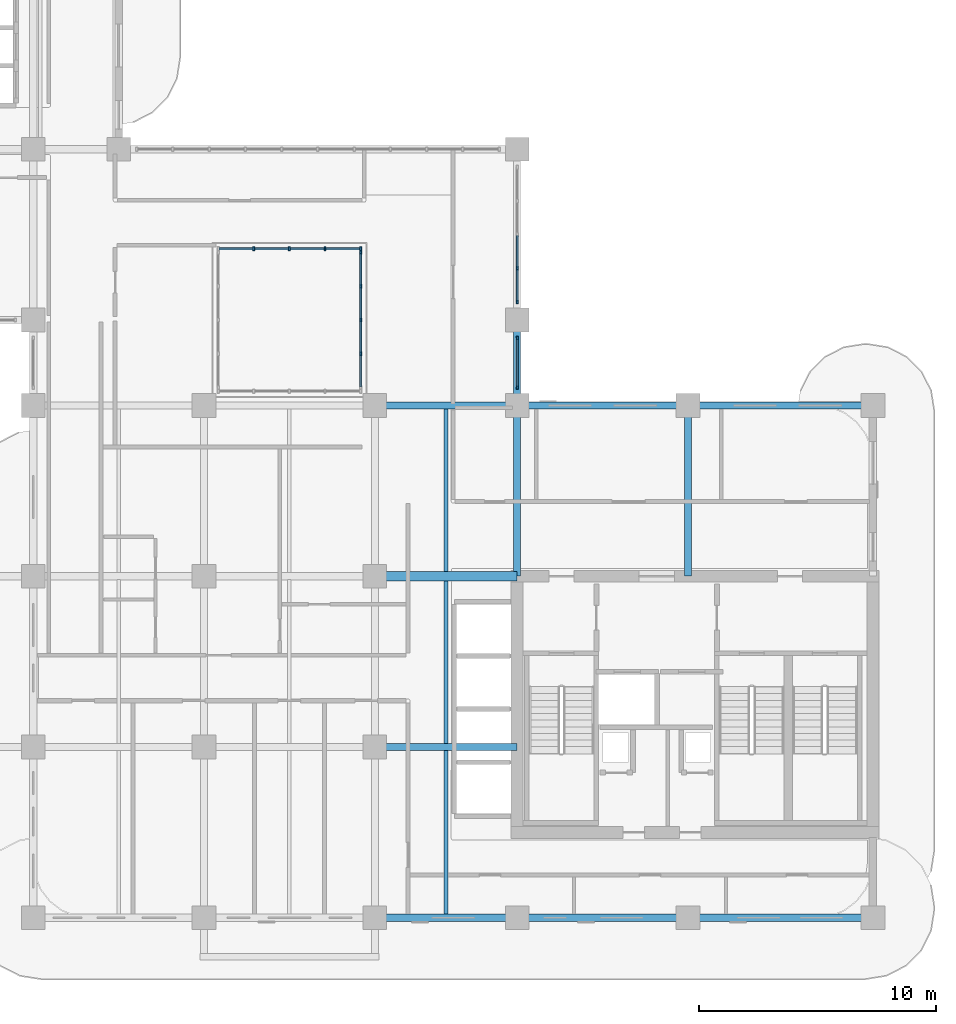
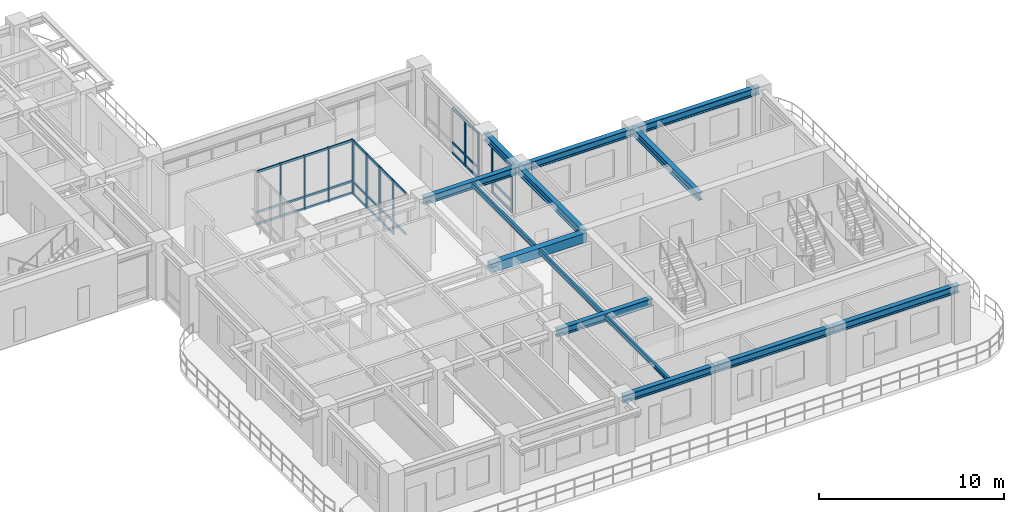
# One storey, part 3 of 20: 44 members, 14 beams, 4 elements without a shape of their own.
"""IFC4 building model written with IfcOpenShell, lengths in metres."""

import ifcopenshell
import ifcopenshell.guid

model = None  # the IFC model being written
_history = None  # IfcOwnerHistory: only IFC2X3 demands one
_inside = {}  # id of a spatial element -> (the spatial element, [elements in it])
_under = {}  # id of a project, library or spatial element -> (it, [spatial elements below it])
_declared = {}  # id of a project -> (the project, [libraries it declares])
_typed = {}  # id of a type object -> (the type object, [elements of that type])
_made_of = {}  # id of a material, layer set ... -> (it, [elements and type objects made of it])


def new_model(schema):
    """Start an empty IFC model of exactly this schema.

    Asked for "IFC4X3", IfcOpenShell would pick the latest addendum, in which some entities
    have other attributes; the version numbers below select the first issue.
    IFC2X3 requires an IfcOwnerHistory on every rooted entity: one is made here for all.
    """
    global model, _history
    if schema == "IFC4X3":
        model = ifcopenshell.file(schema_version=(4, 3, 0, 0))
    else:
        model = ifcopenshell.file(schema=schema)
    _inside.clear()
    _under.clear()
    _declared.clear()
    _typed.clear()
    _made_of.clear()
    _history = None
    if model.schema == "IFC2X3":
        org = make("IfcOrganization", Name="unknown")
        user = make(
            "IfcPersonAndOrganization",
            ThePerson=make("IfcPerson", FamilyName="unknown"),
            TheOrganization=org,
        )
        app = make(
            "IfcApplication",
            ApplicationDeveloper=org,
            Version="unknown",
            ApplicationFullName="unknown",
            ApplicationIdentifier="unknown",
        )
        _history = make(
            "IfcOwnerHistory",
            OwningUser=user,
            OwningApplication=app,
            ChangeAction="ADDED",
            CreationDate=0,
        )
    return model


def make(cls, **values):
    """One entity of the class cls with the attributes given. An attribute that is None is left unset."""
    return model.create_entity(
        cls, **{name: value for name, value in values.items() if value is not None}
    )


def rooted(cls, **values):
    """An entity with a GlobalId (a new one), such as an element, a storey or a relation."""
    return make(cls, GlobalId=ifcopenshell.guid.new(), OwnerHistory=_history, **values)


def si_unit(unit_type, name, prefix=None):
    """IfcSIUnit, for example si_unit("LENGTHUNIT", "METRE", prefix="MILLI")."""
    return make("IfcSIUnit", UnitType=unit_type, Prefix=prefix, Name=name)


def derived_unit(unit_type, elements):
    """IfcDerivedUnit: a product of units, each with its exponent."""
    return make(
        "IfcDerivedUnit",
        Elements=[
            make("IfcDerivedUnitElement", Unit=unit, Exponent=power)
            for unit, power in elements
        ],
        UnitType=unit_type,
    )


def assignment(units):
    """IfcUnitAssignment: the units of a project."""
    return None if units is None else make("IfcUnitAssignment", Units=units)


def point(xyz):
    """IfcCartesianPoint."""
    return None if xyz is None else make("IfcCartesianPoint", Coordinates=xyz)


def direction(xyz):
    """IfcDirection."""
    return None if xyz is None else make("IfcDirection", DirectionRatios=xyz)


def frame(location, z_axis=None, x_axis=None):
    """IfcAxis2Placement3D, a coordinate frame: its origin and axes. An axis left out is left unset."""
    return make(
        "IfcAxis2Placement3D",
        Location=point(location),
        Axis=direction(z_axis),
        RefDirection=direction(x_axis),
    )


def frame_2d(location, x_axis=None):
    """IfcAxis2Placement2D, a coordinate frame in the plane: its origin and x axis."""
    return make(
        "IfcAxis2Placement2D", Location=point(location), RefDirection=direction(x_axis)
    )


def origin():
    """The frame at (0, 0, 0) with its axes left unset."""
    return frame((0.0, 0.0, 0.0))


def origin_2d():
    """The frame at (0, 0) in the plane with its x axis left unset."""
    return frame_2d((0.0, 0.0))


def place(relative_to, where):
    """IfcLocalPlacement: puts the frame where relative to a parent placement (None: the world)."""
    return make(
        "IfcLocalPlacement", PlacementRelTo=relative_to, RelativePlacement=where
    )


def context(
    kind, dimensions, precision=None, world=None, true_north=None, identifier=None
):
    """IfcGeometricRepresentationContext, for example the 3D "Model" context."""
    return make(
        "IfcGeometricRepresentationContext",
        ContextIdentifier=identifier,
        ContextType=kind,
        CoordinateSpaceDimension=dimensions,
        Precision=precision,
        WorldCoordinateSystem=world,
        TrueNorth=true_north,
    )


def subcontext(parent, identifier, kind, view, scale=None):
    """IfcGeometricRepresentationSubContext, for example "Body" below "Model"."""
    return make(
        "IfcGeometricRepresentationSubContext",
        ContextIdentifier=identifier,
        ContextType=kind,
        ParentContext=parent,
        TargetScale=scale,
        TargetView=view,
    )


def project(units=None, contexts=None):
    """IfcProject with its units and contexts."""
    return rooted(
        "IfcProject",
        Name="project",
        RepresentationContexts=contexts,
        UnitsInContext=assignment(units),
    )


def spatial(cls, under=None, at=None, **own):
    """A site, building, storey or space (cls), placed at a placement, below another one or the project."""
    s = rooted(cls, ObjectPlacement=at, **own)
    if under is not None:
        _under.setdefault(under.id(), (under, []))[1].append(s)
    return s


def profile(cls, at=None, kind="AREA", **sizes):
    """A parametric profile (cls). Its sizes go by their IFC names, for example OverallWidth=200.0."""
    return make(cls, ProfileType=kind, Position=at, **sizes)


def rectangle(**sizes):
    """IfcRectangleProfileDef."""
    return profile("IfcRectangleProfileDef", **sizes)


def i_section(**sizes):
    """IfcIShapeProfileDef."""
    return profile("IfcIShapeProfileDef", **sizes)


def extrude(swept, where, along, depth):
    """IfcExtrudedAreaSolid: the profile swept, set in the frame where, extruded along a direction by depth."""
    return make(
        "IfcExtrudedAreaSolid",
        SweptArea=swept,
        Position=where,
        ExtrudedDirection=direction(along),
        Depth=depth,
    )


def shape(context_of_items, identifier, shape_type, items):
    """IfcShapeRepresentation: the items that make up one representation, for example the "Body"."""
    return make(
        "IfcShapeRepresentation",
        ContextOfItems=context_of_items,
        RepresentationIdentifier=identifier,
        RepresentationType=shape_type,
        Items=items,
    )


def source(mapping_origin, context_of_items, identifier, shape_type, items):
    """IfcRepresentationMap: a shape defined once, which mapped items show again and again."""
    return make(
        "IfcRepresentationMap",
        MappingOrigin=mapping_origin,
        MappedRepresentation=shape(context_of_items, identifier, shape_type, items),
    )


def transform(
    local_origin,
    x_axis=None,
    y_axis=None,
    z_axis=None,
    scale=None,
    scale2=None,
    scale3=None,
    uniform=True,
):
    """IfcCartesianTransformationOperator3D, or its non-uniform kind. x_axis, y_axis, z_axis: its Axis1, 2, 3."""
    if uniform:
        return make(
            "IfcCartesianTransformationOperator3D",
            Axis1=direction(x_axis),
            Axis2=direction(y_axis),
            LocalOrigin=point(local_origin),
            Scale=scale,
            Axis3=direction(z_axis),
        )
    return make(
        "IfcCartesianTransformationOperator3DnonUniform",
        Axis1=direction(x_axis),
        Axis2=direction(y_axis),
        LocalOrigin=point(local_origin),
        Scale=scale,
        Axis3=direction(z_axis),
        Scale2=scale2,
        Scale3=scale3,
    )


def mapped(mapping_source, mapping_target):
    """IfcMappedItem: shows the shape of a source again, moved by a transform."""
    return make(
        "IfcMappedItem", MappingSource=mapping_source, MappingTarget=mapping_target
    )


def material(Name=None, Category=None):
    """IfcMaterial."""
    return make("IfcMaterial", Name=Name, Category=Category)


def layer(
    of_material, thickness, ventilated=None, Name=None, Category=None, Priority=None
):
    """IfcMaterialLayer: one layer of a wall or slab, of a material (None: an air gap)."""
    return make(
        "IfcMaterialLayer",
        Material=of_material,
        LayerThickness=thickness,
        IsVentilated=ventilated,
        Name=Name,
        Category=Category,
        Priority=Priority,
    )


def layer_set(layers, Name=None):
    """IfcMaterialLayerSet."""
    return make("IfcMaterialLayerSet", MaterialLayers=layers, LayerSetName=Name)


def material_profile(
    of_material, cross_section, Name=None, Category=None, Priority=None
):
    """IfcMaterialProfile: a cross section and its material."""
    return make(
        "IfcMaterialProfile",
        Name=Name,
        Material=of_material,
        Profile=cross_section,
        Priority=Priority,
        Category=Category,
    )


def profile_set(profiles, Name=None, composite=None):
    """IfcMaterialProfileSet."""
    return make(
        "IfcMaterialProfileSet",
        Name=Name,
        MaterialProfiles=profiles,
        CompositeProfile=composite,
    )


def made_of(thing, what):
    """Note that an element or type object is made of a material, layer set ...; save() writes the relation."""
    if what is not None:
        _made_of.setdefault(what.id(), (what, []))[1].append(thing)
    return thing


def type_object(cls, material=None, **own):
    """A type object (cls), such as IfcWallType, which elements share."""
    return made_of(rooted(cls, **own), material)


def type_shapes(of_type, sources):
    """Give a type object the sources (RepresentationMaps) that its elements show as mapped items."""
    of_type.RepresentationMaps = sources


def element(
    cls,
    number,
    at=None,
    inside=None,
    cuts=None,
    type_object=None,
    material=None,
    context=None,
    identifier="Body",
    shape_type=None,
    held_by="IfcProductDefinitionShape",
    body=None,
    shapes=None,
    **own,
):
    """One element of the class cls, such as IfcWall. Its Tag is "e" and its number.

    at: its placement. inside: the storey or other place that contains it. cuts: it is an
    opening in that element (IfcRelVoidsElement). A single representation is given by context,
    identifier, shape_type and body (its items); several are given by shapes. held_by: the class
    of the entity that holds the representations. save() writes the other relations.
    """
    e = rooted(cls, Tag="e%d" % number, ObjectPlacement=at, **own)
    if body is not None:
        shapes = [shape(context, identifier, shape_type, body)]
    if shapes is not None:
        e.Representation = make(held_by, Representations=shapes)
    if inside is not None:
        _inside.setdefault(inside.id(), (inside, []))[1].append(e)
    if cuts is not None:
        rooted(
            "IfcRelVoidsElement", RelatingBuildingElement=cuts, RelatedOpeningElement=e
        )
    if type_object is not None:
        _typed.setdefault(type_object.id(), (type_object, []))[1].append(e)
    return made_of(e, material)


def aggregate(whole, parts):
    """IfcRelAggregates: a whole, such as a stair, and the parts it consists of."""
    return rooted("IfcRelAggregates", RelatingObject=whole, RelatedObjects=parts)


def save(model, path):
    """Write the relations noted so far, then the file.

    IfcRelAggregates (storeys below a building ...), IfcRelContainedInSpatialStructure (elements
    in a storey), IfcRelDefinesByType, IfcRelAssociatesMaterial and IfcRelDeclares: one each for
    every whole, place, type object, material and project.
    """
    for whole, parts in _under.values():
        aggregate(whole, parts)
    for where, things in _inside.values():
        rooted(
            "IfcRelContainedInSpatialStructure",
            RelatedElements=things,
            RelatingStructure=where,
        )
    for kind, things in _typed.values():
        rooted("IfcRelDefinesByType", RelatedObjects=things, RelatingType=kind)
    for what, things in _made_of.values():
        rooted("IfcRelAssociatesMaterial", RelatedObjects=things, RelatingMaterial=what)
    for by, libraries in _declared.values():
        rooted("IfcRelDeclares", RelatingContext=by, RelatedDefinitions=libraries)
    model.write(path)


model = new_model("IFC4")

# Units and contexts
model_context = context("Model", 3, precision=1e-05, world=origin(), true_north=direction((0.0, 1.0)))
body_context = subcontext(model_context, "Body", "Model", "MODEL_VIEW")
ifc_project = project(units=[si_unit("LENGTHUNIT", "METRE"), si_unit("AREAUNIT", "SQUARE_METRE"), si_unit("VOLUMEUNIT", "CUBIC_METRE"), si_unit("PLANEANGLEUNIT", "RADIAN"), si_unit("MASSUNIT", "GRAM", prefix="KILO"), si_unit("THERMODYNAMICTEMPERATUREUNIT", "KELVIN"), si_unit("POWERUNIT", "WATT"), derived_unit("THERMALTRANSMITTANCEUNIT", [(si_unit("POWERUNIT", "WATT"), 1), (si_unit("AREAUNIT", "SQUARE_METRE"), -1), (si_unit("THERMODYNAMICTEMPERATUREUNIT", "KELVIN"), -1)])], contexts=[model_context])

# Site, building, storey
site_placement = place(None, origin())
site = spatial("IfcSite", under=ifc_project, at=site_placement, CompositionType="ELEMENT")
building_placement = place(site_placement, origin())
building = spatial("IfcBuilding", under=site, at=building_placement, Name="Zahravan Archway Hotel and Residences", CompositionType="ELEMENT")
storey_placement = place(building_placement, frame((0.0, 0.0, 161.85009765625)))
storey = spatial("IfcBuildingStorey", under=building, at=storey_placement, Name="L40", CompositionType="ELEMENT", Elevation=161.85009765625)

# Beams
ifc_material_1 = material(Name="Concrete C60/75", Category="concrete")
ifc_material_profile_1 = material_profile(ifc_material_1, rectangle(XDim=0.39990234375, YDim=0.60009765625, at=origin_2d()), Name="RC-LNT-400x600", Category="concrete")
ifc_profile_set_1 = profile_set([ifc_material_profile_1], Name="Concrete C60/75")
beam_type_1 = type_object("IfcBeamType", Name="LNT-RC-400x600", PredefinedType="LINTEL", material=ifc_profile_set_1)
shared_shape_1 = source(origin(), body_context, "Body", "SweptSolid", [
    extrude(rectangle(XDim=0.39990234375, YDim=0.60009765625, at=origin_2d()), origin(), (0.0, 0.0, 1.0), 6.0),
])
type_shapes(beam_type_1, [shared_shape_1])
beam_1_placement = place(storey_placement, frame((28.800048828125, 14.39990234375, 3.2998046875), z_axis=(1.0, 0.0, 0.0), x_axis=(0.0, 1.0, 0.0)))
element("IfcBeam", 1, at=beam_1_placement, inside=storey, type_object=beam_type_1, Name="L40 Core A Coupling Lintel Beam", PredefinedType="LINTEL", context=body_context, shape_type="MappedRepresentation", body=[
    mapped(shared_shape_1, transform((0.0, 0.0, 0.0), scale=1.0)),
])
ifc_material_2 = material(Name="Structural Steel S355JR", Category="steel")
ifc_material_profile_2 = material_profile(ifc_material_2, i_section(OverallWidth=0.300048828125, OverallDepth=0.5, WebThickness=0.014404296875, FlangeThickness=0.028076171875, FilletRadius=0.027099609375, at=origin_2d()), Name="HEB 500", Category="steel")
ifc_profile_set_2 = profile_set([ifc_material_profile_2], Name="Structural Steel S355JR")
beam_type_2 = type_object("IfcBeamType", Name="BM-PRI-HEB500", PredefinedType="BEAM", material=ifc_profile_set_2)
shared_shape_2 = source(origin(), body_context, "Body", "SweptSolid", [
    extrude(i_section(OverallWidth=0.300048828125, OverallDepth=0.5, WebThickness=0.014404296875, FlangeThickness=0.028076171875, FilletRadius=0.027099609375, at=origin_2d()), origin(), (0.0, 0.0, 1.0), 7.2001953125),
])
type_shapes(beam_type_2, [shared_shape_2])
for number, where, z_axis, x_axis, name in (
    (2, (34.800048828125, 14.39990234375, 3.349853515625), (0.0, 1.0, 0.0), (-1.0, 0.0, 0.0), "L40 Primary Girder NS-41"),
    (3, (42.0, 14.39990234375, 3.349853515625), (0.0, 1.0, 0.0), (-1.0, 0.0, 0.0), "L40 Primary Girder NS-44"),
):
    element("IfcBeam", number, at=place(storey_placement, frame(where, z_axis=z_axis, x_axis=x_axis)), inside=storey, type_object=beam_type_2, Name=name, PredefinedType="BEAM", context=body_context, shape_type="MappedRepresentation", body=[
        mapped(shared_shape_2, transform((0.0, 0.0, 0.0), scale=1.0)),
    ])
shared_shape_3 = source(origin(), body_context, "Body", "SweptSolid", [
    extrude(i_section(OverallWidth=0.300048828125, OverallDepth=0.5, WebThickness=0.014404296875, FlangeThickness=0.028076171875, FilletRadius=0.027099609375, at=origin_2d()), origin(), (0.0, 0.0, 1.0), 7.199951171875),
])
for number, where, z_axis, x_axis, name in (
    (4, (34.800048828125, 0.0, 3.349853515625), (1.0, 0.0, 0.0), (0.0, 1.0, 0.0), "L40 Primary Girder EW-04"),
    (5, (34.800048828125, 21.60009765625, 3.349853515625), (1.0, 0.0, 0.0), (0.0, 1.0, 0.0), "L40 Primary Girder EW-14"),
):
    element("IfcBeam", number, at=place(storey_placement, frame(where, z_axis=z_axis, x_axis=x_axis)), inside=storey, type_object=beam_type_2, Name=name, PredefinedType="BEAM", context=body_context, shape_type="MappedRepresentation", body=[
        mapped(shared_shape_3, transform((0.0, 0.0, 0.0), scale=1.0)),
    ])
shared_shape_4 = source(origin(), body_context, "Body", "SweptSolid", [
    extrude(i_section(OverallWidth=0.300048828125, OverallDepth=0.5, WebThickness=0.014404296875, FlangeThickness=0.028076171875, FilletRadius=0.027099609375, at=origin_2d()), origin(), (0.0, 0.0, 1.0), 6.0),
])
for number, where, z_axis, x_axis, name in (
    (6, (28.800048828125, 0.0, 3.349853515625), (1.0, 0.0, 0.0), (0.0, 1.0, 0.0), "L40 Primary Girder EW-03"),
    (7, (28.800048828125, 7.199951171875, 3.349853515625), (1.0, 0.0, 0.0), (0.0, 1.0, 0.0), "L40 Primary Girder EW-08"),
    (8, (28.800048828125, 21.60009765625, 3.349853515625), (1.0, 0.0, 0.0), (0.0, 1.0, 0.0), "L40 Primary Girder EW-13"),
):
    element("IfcBeam", number, at=place(storey_placement, frame(where, z_axis=z_axis, x_axis=x_axis)), inside=storey, type_object=beam_type_2, Name=name, PredefinedType="BEAM", context=body_context, shape_type="MappedRepresentation", body=[
        mapped(shared_shape_4, transform((0.0, 0.0, 0.0), scale=1.0)),
    ])
shared_shape_5 = source(origin(), body_context, "Body", "SweptSolid", [
    extrude(i_section(OverallWidth=0.300048828125, OverallDepth=0.5, WebThickness=0.014404296875, FlangeThickness=0.028076171875, FilletRadius=0.027099609375, at=origin_2d()), origin(), (0.0, 0.0, 1.0), 7.800048828125),
])
for number, where, z_axis, x_axis, name in (
    (9, (42.0, 0.0, 3.349853515625), (1.0, 0.0, 0.0), (0.0, 1.0, 0.0), "L40 Primary Girder EW-05"),
    (10, (42.0, 21.60009765625, 3.349853515625), (1.0, 0.0, 0.0), (0.0, 1.0, 0.0), "L40 Primary Girder EW-15"),
):
    element("IfcBeam", number, at=place(storey_placement, frame(where, z_axis=z_axis, x_axis=x_axis)), inside=storey, type_object=beam_type_2, Name=name, PredefinedType="BEAM", context=body_context, shape_type="MappedRepresentation", body=[
        mapped(shared_shape_5, transform((0.0, 0.0, 0.0), scale=1.0)),
    ])
shared_shape_6 = source(origin(), body_context, "Body", "SweptSolid", [
    extrude(i_section(OverallWidth=0.300048828125, OverallDepth=0.5, WebThickness=0.014404296875, FlangeThickness=0.028076171875, FilletRadius=0.027099609375, at=origin_2d()), origin(), (0.0, 0.0, 1.0), 3.599853515625),
])
beam_2_placement = place(storey_placement, frame((34.800048828125, 21.60009765625, 3.349853515625), z_axis=(0.0, 1.0, 0.0), x_axis=(-1.0, 0.0, 0.0)))
element("IfcBeam", 11, at=beam_2_placement, inside=storey, type_object=beam_type_2, Name="L40 Primary Girder NS-42", PredefinedType="BEAM", context=body_context, shape_type="MappedRepresentation", body=[
    mapped(shared_shape_6, transform((0.0, 0.0, 0.0), scale=1.0)),
])
ifc_material_profile_3 = material_profile(ifc_material_2, i_section(OverallWidth=0.14990234375, OverallDepth=0.300048828125, WebThickness=0.007080078125, FlangeThickness=0.0107421875, FilletRadius=0.014892578125, at=origin_2d()), Name="IPE 300", Category="steel")
ifc_profile_set_3 = profile_set([ifc_material_profile_3], Name="Structural Steel S355JR")
beam_type_3 = type_object("IfcBeamType", Name="BM-JST-IPE300", PredefinedType="JOIST", material=ifc_profile_set_3)
shared_shape_7 = source(origin(), body_context, "Body", "SweptSolid", [
    extrude(i_section(OverallWidth=0.14990234375, OverallDepth=0.300048828125, WebThickness=0.007080078125, FlangeThickness=0.0107421875, FilletRadius=0.014892578125, at=origin_2d()), origin(), (0.0, 0.0, 1.0), 6.904052734375),
])
type_shapes(beam_type_3, [shared_shape_7])
beam_3_placement = place(storey_placement, frame((31.800048828125, 0.14794921875, 3.449951171875), z_axis=(0.0, 1.0, 0.0), x_axis=(-1.0, 0.0, 0.0)))
element("IfcBeam", 12, at=beam_3_placement, inside=storey, type_object=beam_type_3, Name="L40 Composite Floor Joist 03", PredefinedType="JOIST", context=body_context, shape_type="MappedRepresentation", body=[
    mapped(shared_shape_7, transform((0.0, 0.0, 0.0), scale=1.0)),
])
shared_shape_8 = source(origin(), body_context, "Body", "SweptSolid", [
    extrude(i_section(OverallWidth=0.14990234375, OverallDepth=0.300048828125, WebThickness=0.007080078125, FlangeThickness=0.0107421875, FilletRadius=0.014892578125, at=origin_2d()), origin(), (0.0, 0.0, 1.0), 6.85400390625),
])
for number, where, z_axis, x_axis, name in (
    (13, (31.800048828125, 7.347900390625, 3.449951171875), (0.0, 1.0, 0.0), (-1.0, 0.0, 0.0), "L40 Composite Floor Joist 06"),
    (14, (31.800048828125, 14.597900390625, 3.449951171875), (0.0, 1.0, 0.0), (-1.0, 0.0, 0.0), "L40 Composite Floor Joist 07"),
):
    element("IfcBeam", number, at=place(storey_placement, frame(where, z_axis=z_axis, x_axis=x_axis)), inside=storey, type_object=beam_type_3, Name=name, PredefinedType="JOIST", context=body_context, shape_type="MappedRepresentation", body=[
        mapped(shared_shape_8, transform((0.0, 0.0, 0.0), scale=1.0)),
    ])

# Curtain wall, members
ifc_material_3 = material(Name="Bronze-Anodized Unitised Aluminium & Low-E Glass", Category="aluminium")
ifc_layer_1 = layer(ifc_material_3, 0.179931640625, Name="Bronze-Anodized Unitised Aluminium & Low-E Glass", Category="aluminium")
ifc_layer_set_1 = layer_set([ifc_layer_1], Name="Bronze-Anodized Unitised Aluminium & Low-E Glass")
curtain_wall_type_1 = type_object("IfcCurtainWallType", Name="CW-TWR-FEAT", PredefinedType="NOTDEFINED", material=ifc_layer_set_1)
curtain_wall_1_placement = place(storey_placement, origin())
curtain_wall_1 = element("IfcCurtainWall", 15, at=curtain_wall_1_placement, inside=storey, type_object=curtain_wall_type_1, Name="L40 Curtain Wall CW-L40-HNG-E-2", PredefinedType="NOTDEFINED")
ifc_material_4 = material(Name="Bronze-Anodized Extruded Aluminium", Category="aluminium")
ifc_material_profile_4 = material_profile(ifc_material_4, rectangle(XDim=0.080078125, YDim=0.139892578125, at=origin_2d()), Name="TRN 80x140", Category="aluminium")
ifc_profile_set_4 = profile_set([ifc_material_profile_4], Name="Bronze-Anodized Extruded Aluminium")
member_type_1 = type_object("IfcMemberType", Name="CWM-TRN-140", PredefinedType="USERDEFINED", material=ifc_profile_set_4)
shared_shape_9 = source(origin(), body_context, "Body", "SweptSolid", [
    extrude(rectangle(XDim=0.080078125, YDim=0.139892578125, at=origin_2d()), origin(), (0.0, 0.0, 1.0), 1.340087890625),
])
member_1_placement = place(storey_placement, frame((34.800048828125, 26.0, 0.06982421875), z_axis=(0.0, 1.0, 0.0), x_axis=(-1.0, 0.0, 0.0)))
member_1 = element("IfcMember", 16, at=member_1_placement, type_object=member_type_1, Name="CW-L40-HNG-E-2 Transom 0-1", ObjectType="TRANSOM", PredefinedType="USERDEFINED", context=body_context, shape_type="MappedRepresentation", body=[
    mapped(shared_shape_9, transform((0.0, 0.0, 0.0), scale=1.0)),
])
member_2_placement = place(storey_placement, frame((34.800048828125, 26.0, 0.740234375), z_axis=(0.0, 1.0, 0.0), x_axis=(-1.0, 0.0, 0.0)))
member_2 = element("IfcMember", 17, at=member_2_placement, type_object=member_type_1, Name="CW-L40-HNG-E-2 Transom 0-2", ObjectType="TRANSOM", PredefinedType="USERDEFINED", context=body_context, shape_type="MappedRepresentation", body=[
    mapped(shared_shape_9, transform((0.0, 0.0, 0.0), scale=1.0)),
])
member_3_placement = place(storey_placement, frame((34.800048828125, 26.0, 3.014892578125), z_axis=(0.0, 1.0, 0.0), x_axis=(-1.0, 0.0, 0.0)))
member_3 = element("IfcMember", 18, at=member_3_placement, type_object=member_type_1, Name="CW-L40-HNG-E-2 Transom 0-3", ObjectType="TRANSOM", PredefinedType="USERDEFINED", context=body_context, shape_type="MappedRepresentation", body=[
    mapped(shared_shape_9, transform((0.0, 0.0, 0.0), scale=1.0)),
])
member_4_placement = place(storey_placement, frame((34.800048828125, 27.419921875, 0.06982421875), z_axis=(0.0, 1.0, 0.0), x_axis=(-1.0, 0.0, 0.0)))
member_4 = element("IfcMember", 19, at=member_4_placement, type_object=member_type_1, Name="CW-L40-HNG-E-2 Transom 1-1", ObjectType="TRANSOM", PredefinedType="USERDEFINED", context=body_context, shape_type="MappedRepresentation", body=[
    mapped(shared_shape_9, transform((0.0, 0.0, 0.0), scale=1.0)),
])
member_5_placement = place(storey_placement, frame((34.800048828125, 27.419921875, 0.740234375), z_axis=(0.0, 1.0, 0.0), x_axis=(-1.0, 0.0, 0.0)))
member_5 = element("IfcMember", 20, at=member_5_placement, type_object=member_type_1, Name="CW-L40-HNG-E-2 Transom 1-2", ObjectType="TRANSOM", PredefinedType="USERDEFINED", context=body_context, shape_type="MappedRepresentation", body=[
    mapped(shared_shape_9, transform((0.0, 0.0, 0.0), scale=1.0)),
])
member_6_placement = place(storey_placement, frame((34.800048828125, 27.419921875, 3.014892578125), z_axis=(0.0, 1.0, 0.0), x_axis=(-1.0, 0.0, 0.0)))
member_6 = element("IfcMember", 21, at=member_6_placement, type_object=member_type_1, Name="CW-L40-HNG-E-2 Transom 1-3", ObjectType="TRANSOM", PredefinedType="USERDEFINED", context=body_context, shape_type="MappedRepresentation", body=[
    mapped(shared_shape_9, transform((0.0, 0.0, 0.0), scale=1.0)),
])

curtain_wall_2_placement = place(storey_placement, origin())
curtain_wall_2 = element("IfcCurtainWall", 22, at=curtain_wall_2_placement, inside=storey, type_object=curtain_wall_type_1, Name="L40 Curtain Wall CW-L40-HNG-E-1", PredefinedType="NOTDEFINED")
shared_shape_10 = source(origin(), body_context, "Body", "SweptSolid", [
    extrude(rectangle(XDim=0.080078125, YDim=0.139892578125, at=origin_2d()), origin(), (0.0, 0.0, 1.0), 2.0),
])
member_7_placement = place(storey_placement, frame((34.800048828125, 22.39990234375, 0.06982421875), z_axis=(0.0, 1.0, 0.0), x_axis=(-1.0, 0.0, 0.0)))
member_7 = element("IfcMember", 23, at=member_7_placement, type_object=member_type_1, Name="CW-L40-HNG-E-1 Transom 0-1", ObjectType="TRANSOM", PredefinedType="USERDEFINED", context=body_context, shape_type="MappedRepresentation", body=[
    mapped(shared_shape_10, transform((0.0, 0.0, 0.0), scale=1.0)),
])
member_8_placement = place(storey_placement, frame((34.800048828125, 22.39990234375, 0.740234375), z_axis=(0.0, 1.0, 0.0), x_axis=(-1.0, 0.0, 0.0)))
member_8 = element("IfcMember", 24, at=member_8_placement, type_object=member_type_1, Name="CW-L40-HNG-E-1 Transom 0-2", ObjectType="TRANSOM", PredefinedType="USERDEFINED", context=body_context, shape_type="MappedRepresentation", body=[
    mapped(shared_shape_10, transform((0.0, 0.0, 0.0), scale=1.0)),
])
member_9_placement = place(storey_placement, frame((34.800048828125, 22.39990234375, 3.014892578125), z_axis=(0.0, 1.0, 0.0), x_axis=(-1.0, 0.0, 0.0)))
member_9 = element("IfcMember", 25, at=member_9_placement, type_object=member_type_1, Name="CW-L40-HNG-E-1 Transom 0-3", ObjectType="TRANSOM", PredefinedType="USERDEFINED", context=body_context, shape_type="MappedRepresentation", body=[
    mapped(shared_shape_10, transform((0.0, 0.0, 0.0), scale=1.0)),
])

ifc_layer_2 = layer(ifc_material_3, 0.179931640625, Name="Bronze-Anodized Unitised Aluminium & Low-E Glass", Category="aluminium")
ifc_layer_set_2 = layer_set([ifc_layer_2], Name="Bronze-Anodized Unitised Aluminium & Low-E Glass")
curtain_wall_type_2 = type_object("IfcCurtainWallType", Name="CW-ATR-GLAZ", PredefinedType="NOTDEFINED", material=ifc_layer_set_2)
curtain_wall_3_placement = place(storey_placement, origin())
curtain_wall_3 = element("IfcCurtainWall", 26, at=curtain_wall_3_placement, inside=storey, type_object=curtain_wall_type_2, Name="L40 Curtain Wall CW-ATR-L40-N-1", PredefinedType="NOTDEFINED")
shared_shape_11 = source(origin(), body_context, "Body", "SweptSolid", [
    extrude(rectangle(XDim=0.080078125, YDim=0.139892578125, at=origin_2d()), origin(), (0.0, 0.0, 1.0), 1.419921875),
])
member_10_placement = place(storey_placement, frame((22.239990234375, 28.199951171875, 0.06982421875), z_axis=(1.0, 0.0, 0.0), x_axis=(0.0, 1.0, 0.0)))
member_10 = element("IfcMember", 27, at=member_10_placement, type_object=member_type_1, Name="CW-ATR-L40-N-1 Transom 0-1", ObjectType="TRANSOM", PredefinedType="USERDEFINED", context=body_context, shape_type="MappedRepresentation", body=[
    mapped(shared_shape_11, transform((0.0, 0.0, 0.0), scale=1.0)),
])
member_11_placement = place(storey_placement, frame((22.239990234375, 28.199951171875, 0.849853515625), z_axis=(1.0, 0.0, 0.0), x_axis=(0.0, 1.0, 0.0)))
member_11 = element("IfcMember", 28, at=member_11_placement, type_object=member_type_1, Name="CW-ATR-L40-N-1 Transom 0-2", ObjectType="TRANSOM", PredefinedType="USERDEFINED", context=body_context, shape_type="MappedRepresentation", body=[
    mapped(shared_shape_11, transform((0.0, 0.0, 0.0), scale=1.0)),
])
member_12_placement = place(storey_placement, frame((22.239990234375, 28.199951171875, 3.52978515625), z_axis=(1.0, 0.0, 0.0), x_axis=(0.0, 1.0, 0.0)))
member_12 = element("IfcMember", 29, at=member_12_placement, type_object=member_type_1, Name="CW-ATR-L40-N-1 Transom 0-3", ObjectType="TRANSOM", PredefinedType="USERDEFINED", context=body_context, shape_type="MappedRepresentation", body=[
    mapped(shared_shape_11, transform((0.0, 0.0, 0.0), scale=1.0)),
])
member_13_placement = place(storey_placement, frame((23.739990234375, 28.199951171875, 0.06982421875), z_axis=(1.0, 0.0, 0.0), x_axis=(0.0, 1.0, 0.0)))
member_13 = element("IfcMember", 30, at=member_13_placement, type_object=member_type_1, Name="CW-ATR-L40-N-1 Transom 1-1", ObjectType="TRANSOM", PredefinedType="USERDEFINED", context=body_context, shape_type="MappedRepresentation", body=[
    mapped(shared_shape_11, transform((0.0, 0.0, 0.0), scale=1.0)),
])
member_14_placement = place(storey_placement, frame((23.739990234375, 28.199951171875, 0.849853515625), z_axis=(1.0, 0.0, 0.0), x_axis=(0.0, 1.0, 0.0)))
member_14 = element("IfcMember", 31, at=member_14_placement, type_object=member_type_1, Name="CW-ATR-L40-N-1 Transom 1-2", ObjectType="TRANSOM", PredefinedType="USERDEFINED", context=body_context, shape_type="MappedRepresentation", body=[
    mapped(shared_shape_11, transform((0.0, 0.0, 0.0), scale=1.0)),
])
member_15_placement = place(storey_placement, frame((23.739990234375, 28.199951171875, 3.52978515625), z_axis=(1.0, 0.0, 0.0), x_axis=(0.0, 1.0, 0.0)))
member_15 = element("IfcMember", 32, at=member_15_placement, type_object=member_type_1, Name="CW-ATR-L40-N-1 Transom 1-3", ObjectType="TRANSOM", PredefinedType="USERDEFINED", context=body_context, shape_type="MappedRepresentation", body=[
    mapped(shared_shape_11, transform((0.0, 0.0, 0.0), scale=1.0)),
])
member_16_placement = place(storey_placement, frame((25.239990234375, 28.199951171875, 0.06982421875), z_axis=(1.0, 0.0, 0.0), x_axis=(0.0, 1.0, 0.0)))
member_16 = element("IfcMember", 33, at=member_16_placement, type_object=member_type_1, Name="CW-ATR-L40-N-1 Transom 2-1", ObjectType="TRANSOM", PredefinedType="USERDEFINED", context=body_context, shape_type="MappedRepresentation", body=[
    mapped(shared_shape_11, transform((0.0, 0.0, 0.0), scale=1.0)),
])
member_17_placement = place(storey_placement, frame((25.239990234375, 28.199951171875, 0.849853515625), z_axis=(1.0, 0.0, 0.0), x_axis=(0.0, 1.0, 0.0)))
member_17 = element("IfcMember", 34, at=member_17_placement, type_object=member_type_1, Name="CW-ATR-L40-N-1 Transom 2-2", ObjectType="TRANSOM", PredefinedType="USERDEFINED", context=body_context, shape_type="MappedRepresentation", body=[
    mapped(shared_shape_11, transform((0.0, 0.0, 0.0), scale=1.0)),
])
member_18_placement = place(storey_placement, frame((25.239990234375, 28.199951171875, 3.52978515625), z_axis=(1.0, 0.0, 0.0), x_axis=(0.0, 1.0, 0.0)))
member_18 = element("IfcMember", 35, at=member_18_placement, type_object=member_type_1, Name="CW-ATR-L40-N-1 Transom 2-3", ObjectType="TRANSOM", PredefinedType="USERDEFINED", context=body_context, shape_type="MappedRepresentation", body=[
    mapped(shared_shape_11, transform((0.0, 0.0, 0.0), scale=1.0)),
])
member_19_placement = place(storey_placement, frame((26.739990234375, 28.199951171875, 0.06982421875), z_axis=(1.0, 0.0, 0.0), x_axis=(0.0, 1.0, 0.0)))
member_19 = element("IfcMember", 36, at=member_19_placement, type_object=member_type_1, Name="CW-ATR-L40-N-1 Transom 3-1", ObjectType="TRANSOM", PredefinedType="USERDEFINED", context=body_context, shape_type="MappedRepresentation", body=[
    mapped(shared_shape_11, transform((0.0, 0.0, 0.0), scale=1.0)),
])
member_20_placement = place(storey_placement, frame((26.739990234375, 28.199951171875, 0.849853515625), z_axis=(1.0, 0.0, 0.0), x_axis=(0.0, 1.0, 0.0)))
member_20 = element("IfcMember", 37, at=member_20_placement, type_object=member_type_1, Name="CW-ATR-L40-N-1 Transom 3-2", ObjectType="TRANSOM", PredefinedType="USERDEFINED", context=body_context, shape_type="MappedRepresentation", body=[
    mapped(shared_shape_11, transform((0.0, 0.0, 0.0), scale=1.0)),
])
member_21_placement = place(storey_placement, frame((26.739990234375, 28.199951171875, 3.52978515625), z_axis=(1.0, 0.0, 0.0), x_axis=(0.0, 1.0, 0.0)))
member_21 = element("IfcMember", 38, at=member_21_placement, type_object=member_type_1, Name="CW-ATR-L40-N-1 Transom 3-3", ObjectType="TRANSOM", PredefinedType="USERDEFINED", context=body_context, shape_type="MappedRepresentation", body=[
    mapped(shared_shape_11, transform((0.0, 0.0, 0.0), scale=1.0)),
])

curtain_wall_4_placement = place(storey_placement, origin())
curtain_wall_4 = element("IfcCurtainWall", 39, at=curtain_wall_4_placement, inside=storey, type_object=curtain_wall_type_2, Name="L40 Curtain Wall CW-ATR-L40-E-1", PredefinedType="NOTDEFINED")
shared_shape_12 = source(origin(), body_context, "Body", "SweptSolid", [
    extrude(rectangle(XDim=0.080078125, YDim=0.139892578125, at=origin_2d()), origin(), (0.0, 0.0, 1.0), 1.34521484375),
])
member_22_placement = place(storey_placement, frame((28.199951171875, 22.389892578125, 0.849853515625), z_axis=(0.0, 1.0, 0.0), x_axis=(-1.0, 0.0, 0.0)))
member_22 = element("IfcMember", 40, at=member_22_placement, type_object=member_type_1, Name="CW-ATR-L40-E-1 Transom 0-2", ObjectType="TRANSOM", PredefinedType="USERDEFINED", context=body_context, shape_type="MappedRepresentation", body=[
    mapped(shared_shape_12, transform((0.0, 0.0, 0.0), scale=1.0)),
])
member_23_placement = place(storey_placement, frame((28.199951171875, 22.389892578125, 3.52978515625), z_axis=(0.0, 1.0, 0.0), x_axis=(-1.0, 0.0, 0.0)))
member_23 = element("IfcMember", 41, at=member_23_placement, type_object=member_type_1, Name="CW-ATR-L40-E-1 Transom 0-3", ObjectType="TRANSOM", PredefinedType="USERDEFINED", context=body_context, shape_type="MappedRepresentation", body=[
    mapped(shared_shape_12, transform((0.0, 0.0, 0.0), scale=1.0)),
])
shared_shape_13 = source(origin(), body_context, "Body", "SweptSolid", [
    extrude(rectangle(XDim=0.080078125, YDim=0.139892578125, at=origin_2d()), origin(), (0.0, 0.0, 1.0), 1.344970703125),
])
member_24_placement = place(storey_placement, frame((28.199951171875, 23.81494140625, 0.06982421875), z_axis=(0.0, 1.0, 0.0), x_axis=(-1.0, 0.0, 0.0)))
member_24 = element("IfcMember", 42, at=member_24_placement, type_object=member_type_1, Name="CW-ATR-L40-E-1 Transom 1-1", ObjectType="TRANSOM", PredefinedType="USERDEFINED", context=body_context, shape_type="MappedRepresentation", body=[
    mapped(shared_shape_13, transform((0.0, 0.0, 0.0), scale=1.0)),
])
member_25_placement = place(storey_placement, frame((28.199951171875, 23.81494140625, 0.849853515625), z_axis=(0.0, 1.0, 0.0), x_axis=(-1.0, 0.0, 0.0)))
member_25 = element("IfcMember", 43, at=member_25_placement, type_object=member_type_1, Name="CW-ATR-L40-E-1 Transom 1-2", ObjectType="TRANSOM", PredefinedType="USERDEFINED", context=body_context, shape_type="MappedRepresentation", body=[
    mapped(shared_shape_13, transform((0.0, 0.0, 0.0), scale=1.0)),
])
member_26_placement = place(storey_placement, frame((28.199951171875, 23.81494140625, 3.52978515625), z_axis=(0.0, 1.0, 0.0), x_axis=(-1.0, 0.0, 0.0)))
member_26 = element("IfcMember", 44, at=member_26_placement, type_object=member_type_1, Name="CW-ATR-L40-E-1 Transom 1-3", ObjectType="TRANSOM", PredefinedType="USERDEFINED", context=body_context, shape_type="MappedRepresentation", body=[
    mapped(shared_shape_13, transform((0.0, 0.0, 0.0), scale=1.0)),
])
member_27_placement = place(storey_placement, frame((28.199951171875, 25.239990234375, 0.06982421875), z_axis=(0.0, 1.0, 0.0), x_axis=(-1.0, 0.0, 0.0)))
member_27 = element("IfcMember", 45, at=member_27_placement, type_object=member_type_1, Name="CW-ATR-L40-E-1 Transom 2-1", ObjectType="TRANSOM", PredefinedType="USERDEFINED", context=body_context, shape_type="MappedRepresentation", body=[
    mapped(shared_shape_13, transform((0.0, 0.0, 0.0), scale=1.0)),
])
member_28_placement = place(storey_placement, frame((28.199951171875, 25.239990234375, 0.849853515625), z_axis=(0.0, 1.0, 0.0), x_axis=(-1.0, 0.0, 0.0)))
member_28 = element("IfcMember", 46, at=member_28_placement, type_object=member_type_1, Name="CW-ATR-L40-E-1 Transom 2-2", ObjectType="TRANSOM", PredefinedType="USERDEFINED", context=body_context, shape_type="MappedRepresentation", body=[
    mapped(shared_shape_13, transform((0.0, 0.0, 0.0), scale=1.0)),
])
member_29_placement = place(storey_placement, frame((28.199951171875, 25.239990234375, 3.52978515625), z_axis=(0.0, 1.0, 0.0), x_axis=(-1.0, 0.0, 0.0)))
member_29 = element("IfcMember", 47, at=member_29_placement, type_object=member_type_1, Name="CW-ATR-L40-E-1 Transom 2-3", ObjectType="TRANSOM", PredefinedType="USERDEFINED", context=body_context, shape_type="MappedRepresentation", body=[
    mapped(shared_shape_13, transform((0.0, 0.0, 0.0), scale=1.0)),
])
member_30_placement = place(storey_placement, frame((28.199951171875, 26.6650390625, 0.06982421875), z_axis=(0.0, 1.0, 0.0), x_axis=(-1.0, 0.0, 0.0)))
member_30 = element("IfcMember", 48, at=member_30_placement, type_object=member_type_1, Name="CW-ATR-L40-E-1 Transom 3-1", ObjectType="TRANSOM", PredefinedType="USERDEFINED", context=body_context, shape_type="MappedRepresentation", body=[
    mapped(shared_shape_13, transform((0.0, 0.0, 0.0), scale=1.0)),
])
member_31_placement = place(storey_placement, frame((28.199951171875, 26.6650390625, 0.849853515625), z_axis=(0.0, 1.0, 0.0), x_axis=(-1.0, 0.0, 0.0)))
member_31 = element("IfcMember", 49, at=member_31_placement, type_object=member_type_1, Name="CW-ATR-L40-E-1 Transom 3-2", ObjectType="TRANSOM", PredefinedType="USERDEFINED", context=body_context, shape_type="MappedRepresentation", body=[
    mapped(shared_shape_13, transform((0.0, 0.0, 0.0), scale=1.0)),
])
member_32_placement = place(storey_placement, frame((28.199951171875, 26.6650390625, 3.52978515625), z_axis=(0.0, 1.0, 0.0), x_axis=(-1.0, 0.0, 0.0)))
member_32 = element("IfcMember", 50, at=member_32_placement, type_object=member_type_1, Name="CW-ATR-L40-E-1 Transom 3-3", ObjectType="TRANSOM", PredefinedType="USERDEFINED", context=body_context, shape_type="MappedRepresentation", body=[
    mapped(shared_shape_13, transform((0.0, 0.0, 0.0), scale=1.0)),
])

# Member
ifc_material_profile_5 = material_profile(ifc_material_4, rectangle(XDim=0.080078125, YDim=0.159912109375, at=origin_2d()), Name="MUL 80x160", Category="aluminium")
ifc_profile_set_5 = profile_set([ifc_material_profile_5], Name="Bronze-Anodized Extruded Aluminium")
member_type_2 = type_object("IfcMemberType", Name="CWM-MUL-160", PredefinedType="MULLION", material=ifc_profile_set_5)
shared_shape_14 = source(origin(), body_context, "Body", "SweptSolid", [
    extrude(rectangle(XDim=0.080078125, YDim=0.159912109375, at=origin_2d()), origin(), (0.0, 0.0, 1.0), 3.0849609375),
])
member_33_placement = place(storey_placement, frame((34.800048828125, 22.360107421875, 0.0), z_axis=(0.0, 0.0, 1.0), x_axis=(1.0, 0.0, 0.0)))
member_33 = element("IfcMember", 51, at=member_33_placement, type_object=member_type_2, Name="CW-L40-HNG-E-1 Mullion 0", PredefinedType="MULLION", context=body_context, shape_type="MappedRepresentation", body=[
    mapped(shared_shape_14, transform((0.0, 0.0, 0.0), scale=1.0)),
])

member_34_placement = place(storey_placement, frame((34.800048828125, 24.43994140625, 0.0), z_axis=(0.0, 0.0, 1.0), x_axis=(1.0, 0.0, 0.0)))
member_34 = element("IfcMember", 52, at=member_34_placement, type_object=member_type_2, Name="CW-L40-HNG-E-1 Mullion 1", PredefinedType="MULLION", context=body_context, shape_type="MappedRepresentation", body=[
    mapped(shared_shape_14, transform((0.0, 0.0, 0.0), scale=1.0)),
])

aggregate(curtain_wall_2, [member_33, member_34, member_7, member_8, member_9])

member_35_placement = place(storey_placement, frame((34.800048828125, 25.9599609375, 0.0), z_axis=(0.0, 0.0, 1.0), x_axis=(1.0, 0.0, 0.0)))
member_35 = element("IfcMember", 53, at=member_35_placement, type_object=member_type_2, Name="CW-L40-HNG-E-2 Mullion 0", PredefinedType="MULLION", context=body_context, shape_type="MappedRepresentation", body=[
    mapped(shared_shape_14, transform((0.0, 0.0, 0.0), scale=1.0)),
])

member_36_placement = place(storey_placement, frame((34.800048828125, 27.3798828125, 0.0), z_axis=(0.0, 0.0, 1.0), x_axis=(1.0, 0.0, 0.0)))
member_36 = element("IfcMember", 54, at=member_36_placement, type_object=member_type_2, Name="CW-L40-HNG-E-2 Mullion 1", PredefinedType="MULLION", context=body_context, shape_type="MappedRepresentation", body=[
    mapped(shared_shape_14, transform((0.0, 0.0, 0.0), scale=1.0)),
])

aggregate(curtain_wall_1, [member_35, member_36, member_1, member_2, member_3, member_4, member_5, member_6])

shared_shape_15 = source(origin(), body_context, "Body", "SweptSolid", [
    extrude(rectangle(XDim=0.080078125, YDim=0.159912109375, at=origin_2d()), origin(), (0.0, 0.0, 1.0), 3.599853515625),
])
member_37_placement = place(storey_placement, frame((23.699951171875, 28.199951171875, 0.0), z_axis=(0.0, 0.0, 1.0), x_axis=(1.0, 0.0, 0.0)))
member_37 = element("IfcMember", 55, at=member_37_placement, type_object=member_type_2, Name="CW-ATR-L40-N-1 Mullion 1", PredefinedType="MULLION", context=body_context, shape_type="MappedRepresentation", body=[
    mapped(shared_shape_15, transform((0.0, 0.0, 0.0), scale=1.0)),
])

member_38_placement = place(storey_placement, frame((25.199951171875, 28.199951171875, 0.0), z_axis=(0.0, 0.0, 1.0), x_axis=(1.0, 0.0, 0.0)))
member_38 = element("IfcMember", 56, at=member_38_placement, type_object=member_type_2, Name="CW-ATR-L40-N-1 Mullion 2", PredefinedType="MULLION", context=body_context, shape_type="MappedRepresentation", body=[
    mapped(shared_shape_15, transform((0.0, 0.0, 0.0), scale=1.0)),
])

member_39_placement = place(storey_placement, frame((26.699951171875, 28.199951171875, 0.0), z_axis=(0.0, 0.0, 1.0), x_axis=(1.0, 0.0, 0.0)))
member_39 = element("IfcMember", 57, at=member_39_placement, type_object=member_type_2, Name="CW-ATR-L40-N-1 Mullion 3", PredefinedType="MULLION", context=body_context, shape_type="MappedRepresentation", body=[
    mapped(shared_shape_15, transform((0.0, 0.0, 0.0), scale=1.0)),
])

member_40_placement = place(storey_placement, frame((28.199951171875, 28.199951171875, 0.0), z_axis=(0.0, 0.0, 1.0), x_axis=(1.0, 0.0, 0.0)))
member_40 = element("IfcMember", 58, at=member_40_placement, type_object=member_type_2, Name="CW-ATR-L40-N-1 Mullion 4", PredefinedType="MULLION", context=body_context, shape_type="MappedRepresentation", body=[
    mapped(shared_shape_15, transform((0.0, 0.0, 0.0), scale=1.0)),
])

aggregate(curtain_wall_3, [member_37, member_38, member_39, member_40, member_10, member_11, member_12, member_13, member_14, member_15, member_16, member_17, member_18, member_19, member_20, member_21])

member_41_placement = place(storey_placement, frame((28.199951171875, 23.77490234375, 0.0), z_axis=(0.0, 0.0, 1.0), x_axis=(1.0, 0.0, 0.0)))
member_41 = element("IfcMember", 59, at=member_41_placement, type_object=member_type_2, Name="CW-ATR-L40-E-1 Mullion 1", PredefinedType="MULLION", context=body_context, shape_type="MappedRepresentation", body=[
    mapped(shared_shape_15, transform((0.0, 0.0, 0.0), scale=1.0)),
])

member_42_placement = place(storey_placement, frame((28.199951171875, 25.199951171875, 0.0), z_axis=(0.0, 0.0, 1.0), x_axis=(1.0, 0.0, 0.0)))
member_42 = element("IfcMember", 60, at=member_42_placement, type_object=member_type_2, Name="CW-ATR-L40-E-1 Mullion 2", PredefinedType="MULLION", context=body_context, shape_type="MappedRepresentation", body=[
    mapped(shared_shape_15, transform((0.0, 0.0, 0.0), scale=1.0)),
])

member_43_placement = place(storey_placement, frame((28.199951171875, 26.625, 0.0), z_axis=(0.0, 0.0, 1.0), x_axis=(1.0, 0.0, 0.0)))
member_43 = element("IfcMember", 61, at=member_43_placement, type_object=member_type_2, Name="CW-ATR-L40-E-1 Mullion 3", PredefinedType="MULLION", context=body_context, shape_type="MappedRepresentation", body=[
    mapped(shared_shape_15, transform((0.0, 0.0, 0.0), scale=1.0)),
])

member_44_placement = place(storey_placement, frame((28.199951171875, 28.050048828125, 0.0), z_axis=(0.0, 0.0, 1.0), x_axis=(1.0, 0.0, 0.0)))
member_44 = element("IfcMember", 62, at=member_44_placement, type_object=member_type_2, Name="CW-ATR-L40-E-1 Mullion 4", PredefinedType="MULLION", context=body_context, shape_type="MappedRepresentation", body=[
    mapped(shared_shape_15, transform((0.0, 0.0, 0.0), scale=1.0)),
])

aggregate(curtain_wall_4, [member_41, member_42, member_43, member_44, member_22, member_23, member_24, member_25, member_26, member_27, member_28, member_29, member_30, member_31, member_32])

save(model, "model.ifc")
